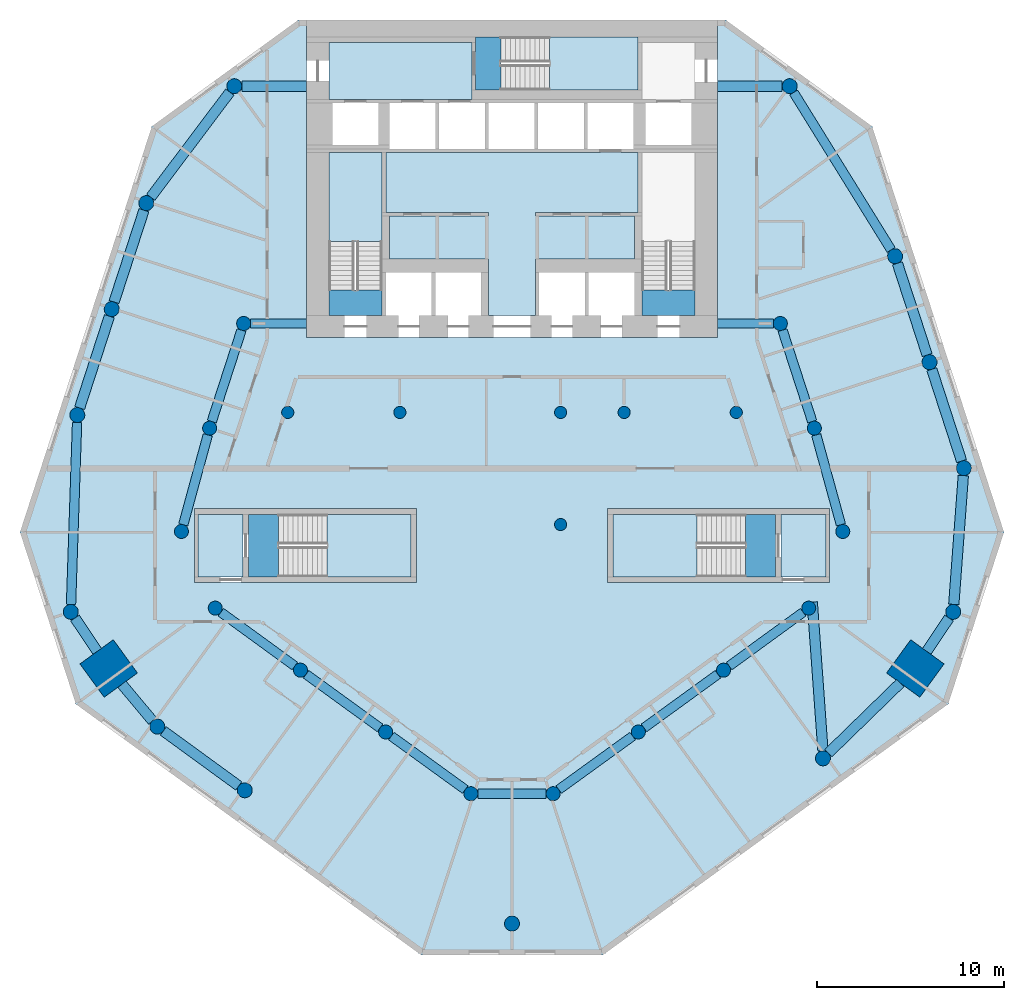
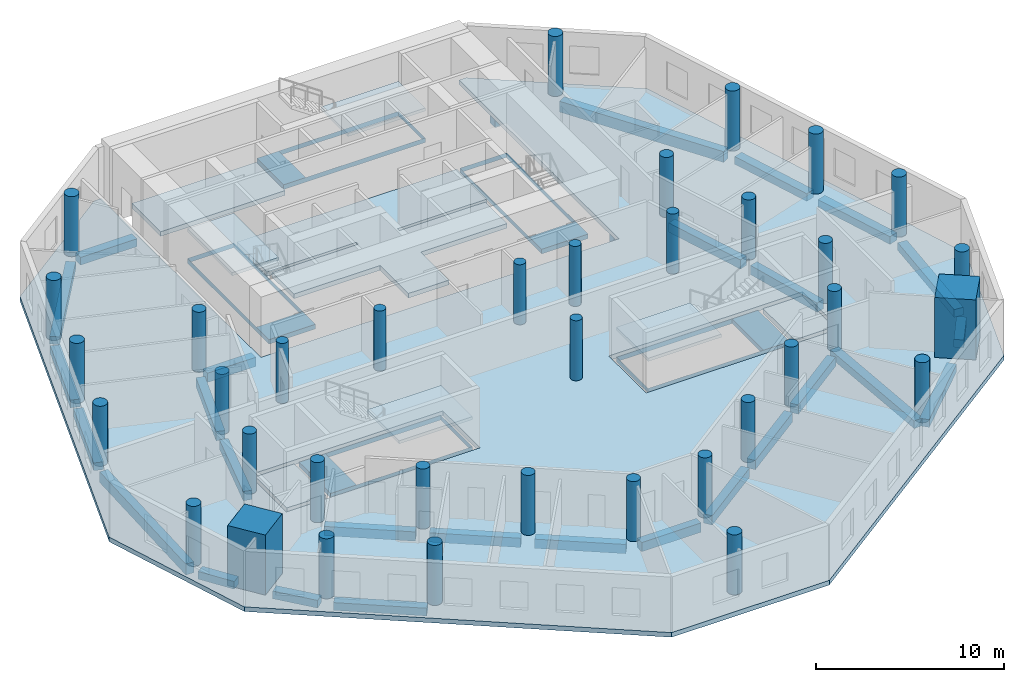
# One storey, part 1 of 9: 36 columns, 29 beams, 14 slabs, 4 elements without a shape of their own.
"""IFC4 building model written with IfcOpenShell, lengths in metres."""

import ifcopenshell
import ifcopenshell.guid

model = None  # the IFC model being written
_history = None  # IfcOwnerHistory: only IFC2X3 demands one
_inside = {}  # id of a spatial element -> (the spatial element, [elements in it])
_under = {}  # id of a project, library or spatial element -> (it, [spatial elements below it])
_declared = {}  # id of a project -> (the project, [libraries it declares])
_typed = {}  # id of a type object -> (the type object, [elements of that type])
_made_of = {}  # id of a material, layer set ... -> (it, [elements and type objects made of it])


def new_model(schema):
    """Start an empty IFC model of exactly this schema.

    Asked for "IFC4X3", IfcOpenShell would pick the latest addendum, in which some entities
    have other attributes; the version numbers below select the first issue.
    IFC2X3 requires an IfcOwnerHistory on every rooted entity: one is made here for all.
    """
    global model, _history
    if schema == "IFC4X3":
        model = ifcopenshell.file(schema_version=(4, 3, 0, 0))
    else:
        model = ifcopenshell.file(schema=schema)
    _inside.clear()
    _under.clear()
    _declared.clear()
    _typed.clear()
    _made_of.clear()
    _history = None
    if model.schema == "IFC2X3":
        org = make("IfcOrganization", Name="unknown")
        user = make(
            "IfcPersonAndOrganization",
            ThePerson=make("IfcPerson", FamilyName="unknown"),
            TheOrganization=org,
        )
        app = make(
            "IfcApplication",
            ApplicationDeveloper=org,
            Version="unknown",
            ApplicationFullName="unknown",
            ApplicationIdentifier="unknown",
        )
        _history = make(
            "IfcOwnerHistory",
            OwningUser=user,
            OwningApplication=app,
            ChangeAction="ADDED",
            CreationDate=0,
        )
    return model


def make(cls, **values):
    """One entity of the class cls with the attributes given. An attribute that is None is left unset."""
    return model.create_entity(
        cls, **{name: value for name, value in values.items() if value is not None}
    )


def rooted(cls, **values):
    """An entity with a GlobalId (a new one), such as an element, a storey or a relation."""
    return make(cls, GlobalId=ifcopenshell.guid.new(), OwnerHistory=_history, **values)


def si_unit(unit_type, name, prefix=None):
    """IfcSIUnit, for example si_unit("LENGTHUNIT", "METRE", prefix="MILLI")."""
    return make("IfcSIUnit", UnitType=unit_type, Prefix=prefix, Name=name)


def assignment(units):
    """IfcUnitAssignment: the units of a project."""
    return None if units is None else make("IfcUnitAssignment", Units=units)


def point(xyz):
    """IfcCartesianPoint."""
    return None if xyz is None else make("IfcCartesianPoint", Coordinates=xyz)


def direction(xyz):
    """IfcDirection."""
    return None if xyz is None else make("IfcDirection", DirectionRatios=xyz)


def frame(location, z_axis=None, x_axis=None):
    """IfcAxis2Placement3D, a coordinate frame: its origin and axes. An axis left out is left unset."""
    return make(
        "IfcAxis2Placement3D",
        Location=point(location),
        Axis=direction(z_axis),
        RefDirection=direction(x_axis),
    )


def frame_2d(location, x_axis=None):
    """IfcAxis2Placement2D, a coordinate frame in the plane: its origin and x axis."""
    return make(
        "IfcAxis2Placement2D", Location=point(location), RefDirection=direction(x_axis)
    )


def origin():
    """The frame at (0, 0, 0) with its axes left unset."""
    return frame((0.0, 0.0, 0.0))


def origin_2d():
    """The frame at (0, 0) in the plane with its x axis left unset."""
    return frame_2d((0.0, 0.0))


def place(relative_to, where):
    """IfcLocalPlacement: puts the frame where relative to a parent placement (None: the world)."""
    return make(
        "IfcLocalPlacement", PlacementRelTo=relative_to, RelativePlacement=where
    )


def context(
    kind, dimensions, precision=None, world=None, true_north=None, identifier=None
):
    """IfcGeometricRepresentationContext, for example the 3D "Model" context."""
    return make(
        "IfcGeometricRepresentationContext",
        ContextIdentifier=identifier,
        ContextType=kind,
        CoordinateSpaceDimension=dimensions,
        Precision=precision,
        WorldCoordinateSystem=world,
        TrueNorth=true_north,
    )


def subcontext(parent, identifier, kind, view, scale=None):
    """IfcGeometricRepresentationSubContext, for example "Body" below "Model"."""
    return make(
        "IfcGeometricRepresentationSubContext",
        ContextIdentifier=identifier,
        ContextType=kind,
        ParentContext=parent,
        TargetScale=scale,
        TargetView=view,
    )


def project(units=None, contexts=None):
    """IfcProject with its units and contexts."""
    return rooted(
        "IfcProject",
        Name="project",
        RepresentationContexts=contexts,
        UnitsInContext=assignment(units),
    )


def spatial(cls, under=None, at=None, **own):
    """A site, building, storey or space (cls), placed at a placement, below another one or the project."""
    s = rooted(cls, ObjectPlacement=at, **own)
    if under is not None:
        _under.setdefault(under.id(), (under, []))[1].append(s)
    return s


def polyline(points):
    """IfcPolyline through the points."""
    return make("IfcPolyline", Points=[point(p) for p in points])


def profile(cls, at=None, kind="AREA", **sizes):
    """A parametric profile (cls). Its sizes go by their IFC names, for example OverallWidth=200.0."""
    return make(cls, ProfileType=kind, Position=at, **sizes)


def rectangle(**sizes):
    """IfcRectangleProfileDef."""
    return profile("IfcRectangleProfileDef", **sizes)


def circle(**sizes):
    """IfcCircleProfileDef."""
    return profile("IfcCircleProfileDef", **sizes)


def outline(outer, holes=None, kind="AREA"):
    """IfcArbitraryClosedProfileDef: a profile drawn as a closed curve; with holes, ...WithVoids."""
    if holes is None:
        return make("IfcArbitraryClosedProfileDef", ProfileType=kind, OuterCurve=outer)
    return make(
        "IfcArbitraryProfileDefWithVoids",
        ProfileType=kind,
        OuterCurve=outer,
        InnerCurves=holes,
    )


def extrude(swept, where, along, depth):
    """IfcExtrudedAreaSolid: the profile swept, set in the frame where, extruded along a direction by depth."""
    return make(
        "IfcExtrudedAreaSolid",
        SweptArea=swept,
        Position=where,
        ExtrudedDirection=direction(along),
        Depth=depth,
    )


def shape(context_of_items, identifier, shape_type, items):
    """IfcShapeRepresentation: the items that make up one representation, for example the "Body"."""
    return make(
        "IfcShapeRepresentation",
        ContextOfItems=context_of_items,
        RepresentationIdentifier=identifier,
        RepresentationType=shape_type,
        Items=items,
    )


def material(Name=None, Category=None):
    """IfcMaterial."""
    return make("IfcMaterial", Name=Name, Category=Category)


def layer(
    of_material, thickness, ventilated=None, Name=None, Category=None, Priority=None
):
    """IfcMaterialLayer: one layer of a wall or slab, of a material (None: an air gap)."""
    return make(
        "IfcMaterialLayer",
        Material=of_material,
        LayerThickness=thickness,
        IsVentilated=ventilated,
        Name=Name,
        Category=Category,
        Priority=Priority,
    )


def layer_set(layers, Name=None):
    """IfcMaterialLayerSet."""
    return make("IfcMaterialLayerSet", MaterialLayers=layers, LayerSetName=Name)


def material_profile(
    of_material, cross_section, Name=None, Category=None, Priority=None
):
    """IfcMaterialProfile: a cross section and its material."""
    return make(
        "IfcMaterialProfile",
        Name=Name,
        Material=of_material,
        Profile=cross_section,
        Priority=Priority,
        Category=Category,
    )


def profile_set(profiles, Name=None, composite=None):
    """IfcMaterialProfileSet."""
    return make(
        "IfcMaterialProfileSet",
        Name=Name,
        MaterialProfiles=profiles,
        CompositeProfile=composite,
    )


def made_of(thing, what):
    """Note that an element or type object is made of a material, layer set ...; save() writes the relation."""
    if what is not None:
        _made_of.setdefault(what.id(), (what, []))[1].append(thing)
    return thing


def type_object(cls, material=None, **own):
    """A type object (cls), such as IfcWallType, which elements share."""
    return made_of(rooted(cls, **own), material)


def element(
    cls,
    number,
    at=None,
    inside=None,
    cuts=None,
    type_object=None,
    material=None,
    context=None,
    identifier="Body",
    shape_type=None,
    held_by="IfcProductDefinitionShape",
    body=None,
    shapes=None,
    **own,
):
    """One element of the class cls, such as IfcWall. Its Tag is "e" and its number.

    at: its placement. inside: the storey or other place that contains it. cuts: it is an
    opening in that element (IfcRelVoidsElement). A single representation is given by context,
    identifier, shape_type and body (its items); several are given by shapes. held_by: the class
    of the entity that holds the representations. save() writes the other relations.
    """
    e = rooted(cls, Tag="e%d" % number, ObjectPlacement=at, **own)
    if body is not None:
        shapes = [shape(context, identifier, shape_type, body)]
    if shapes is not None:
        e.Representation = make(held_by, Representations=shapes)
    if inside is not None:
        _inside.setdefault(inside.id(), (inside, []))[1].append(e)
    if cuts is not None:
        rooted(
            "IfcRelVoidsElement", RelatingBuildingElement=cuts, RelatedOpeningElement=e
        )
    if type_object is not None:
        _typed.setdefault(type_object.id(), (type_object, []))[1].append(e)
    return made_of(e, material)


def aggregate(whole, parts):
    """IfcRelAggregates: a whole, such as a stair, and the parts it consists of."""
    return rooted("IfcRelAggregates", RelatingObject=whole, RelatedObjects=parts)


def save(model, path):
    """Write the relations noted so far, then the file.

    IfcRelAggregates (storeys below a building ...), IfcRelContainedInSpatialStructure (elements
    in a storey), IfcRelDefinesByType, IfcRelAssociatesMaterial and IfcRelDeclares: one each for
    every whole, place, type object, material and project.
    """
    for whole, parts in _under.values():
        aggregate(whole, parts)
    for where, things in _inside.values():
        rooted(
            "IfcRelContainedInSpatialStructure",
            RelatedElements=things,
            RelatingStructure=where,
        )
    for kind, things in _typed.values():
        rooted("IfcRelDefinesByType", RelatedObjects=things, RelatingType=kind)
    for what, things in _made_of.values():
        rooted("IfcRelAssociatesMaterial", RelatedObjects=things, RelatingMaterial=what)
    for by, libraries in _declared.values():
        rooted("IfcRelDeclares", RelatingContext=by, RelatedDefinitions=libraries)
    model.write(path)


model = new_model("IFC4")

# Units and contexts
model_context = context("Model", 3, precision=1e-05, world=origin(), true_north=direction((0.0, 1.0)))
body_context = subcontext(model_context, "Body", "Model", "MODEL_VIEW")
ifc_project = project(units=[si_unit("LENGTHUNIT", "METRE"), si_unit("AREAUNIT", "SQUARE_METRE"), si_unit("VOLUMEUNIT", "CUBIC_METRE"), si_unit("PLANEANGLEUNIT", "RADIAN"), si_unit("MASSUNIT", "GRAM", prefix="KILO")], contexts=[model_context])

# Site, building, storey
site_placement = place(None, origin())
site = spatial("IfcSite", under=ifc_project, at=site_placement, CompositionType="ELEMENT")
building_placement = place(site_placement, origin())
building = spatial("IfcBuilding", under=site, at=building_placement, Name="White Candle Pilgrim Tower", CompositionType="ELEMENT")
storey_placement = place(building_placement, frame((0.0, 0.0, 46.800048828125)))
storey = spatial("IfcBuildingStorey", under=building, at=storey_placement, Name="L08", CompositionType="ELEMENT", Elevation=46.800048828125)

# Columns
ifc_material_1 = material(Name="Concrete C80/95", Category="concrete")
ifc_material_profile_1 = material_profile(ifc_material_1, circle(Radius=0.324951171875, at=origin_2d()), Name="RC-COL D650")
ifc_profile_set_1 = profile_set([ifc_material_profile_1], Name="Concrete C80/95")
column_type_1 = type_object("IfcColumnType", Name="Interior column RC-COL D650 C80/95", PredefinedType="COLUMN", material=ifc_profile_set_1)
for number, where, z_axis, x_axis, name in (
    (1, (58.0, 67.0, 0.0), (0.0, 0.0, 1.0), (1.0, 0.0, 0.0), "L08 column I01"),
    (2, (64.0, 67.0, 0.0), (0.0, 0.0, 1.0), (1.0, 0.0, 0.0), "L08 column I02"),
    (3, (72.60009765625, 61.0, 0.0), (0.0, 0.0, 1.0), (1.0, 0.0, 0.0), "L08 column I03"),
    (4, (72.60009765625, 67.0, 0.0), (0.0, 0.0, 1.0), (1.0, 0.0, 0.0), "L08 column I04"),
    (5, (76.0, 67.0, 0.0), (0.0, 0.0, 1.0), (1.0, 0.0, 0.0), "L08 column I05"),
    (6, (82.0, 67.0, 0.0), (0.0, 0.0, 1.0), (1.0, 0.0, 0.0), "L08 column I06"),
):
    element("IfcColumn", number, at=place(storey_placement, frame(where, z_axis=z_axis, x_axis=x_axis)), inside=storey, type_object=column_type_1, Name=name, PredefinedType="COLUMN", context=body_context, shape_type="SweptSolid", body=[
        extrude(circle(Radius=0.324951171875, at=origin_2d()), origin(), (0.0, 0.0, 1.0), 3.89990234375),
    ])
ifc_material_profile_2 = material_profile(ifc_material_1, rectangle(XDim=2.199951171875, YDim=2.199951171875, at=origin_2d()), Name="RC 2200x2200")
ifc_profile_set_2 = profile_set([ifc_material_profile_2], Name="Concrete C80/95")
column_type_2 = type_object("IfcColumnType", Name="Mega column RC 2200x2200 C80/95", PredefinedType="COLUMN", material=ifc_profile_set_2)
for number, where, z_axis, x_axis, name in (
    (7, (48.419921875, 53.300048828125, 0.0), (0.0, 0.0, 1.0), (-0.809016994375, -0.587785252292, 0.0), "L08 mega column T02"),
    (8, (91.580078125, 53.300048828125, 0.0), (0.0, 0.0, 1.0), (0.809016994375, -0.587785252292, 0.0), "L08 mega column T07"),
):
    element("IfcColumn", number, at=place(storey_placement, frame(where, z_axis=z_axis, x_axis=x_axis)), inside=storey, type_object=column_type_2, Name=name, PredefinedType="COLUMN", context=body_context, shape_type="SweptSolid", body=[
        extrude(rectangle(XDim=2.199951171875, YDim=2.199951171875, at=origin_2d()), origin(), (0.0, 0.0, 1.0), 3.89990234375),
    ])
ifc_material_profile_3 = material_profile(ifc_material_1, circle(Radius=0.39990234375, at=origin_2d()), Name="RC-COL D800")
ifc_profile_set_3 = profile_set([ifc_material_profile_3], Name="Concrete C80/95")
column_type_3 = type_object("IfcColumnType", Name="Perimeter column RC-COL D800 C80/95", PredefinedType="COLUMN", material=ifc_profile_set_3)
for number, where, z_axis, x_axis, name in (
    (9, (46.389892578125, 56.330078125, 0.0), (0.0, 0.0, 1.0), (1.0, 0.0, 0.0), "L08 column T01"),
    (10, (51.02001953125, 50.18994140625, 0.0), (0.0, 0.0, 1.0), (1.0, 0.0, 0.0), "L08 column T03"),
    (11, (55.699951171875, 46.780029296875, 0.0), (0.0, 0.0, 1.0), (1.0, 0.0, 0.0), "L08 column T04"),
    (12, (70.0, 39.64990234375, 0.0), (0.0, 0.0, 1.0), (1.0, 0.0, 0.0), "L08 column T05"),
    (13, (86.639892578125, 48.489990234375, 0.0), (0.0, 0.0, 1.0), (1.0, 0.0, 0.0), "L08 column T06"),
    (14, (93.610107421875, 56.330078125, 0.0), (0.0, 0.0, 1.0), (1.0, 0.0, 0.0), "L08 column T08"),
    (15, (94.179931640625, 64.02001953125, 0.0), (0.0, 0.0, 1.0), (1.0, 0.0, 0.0), "L08 column T09"),
    (16, (92.340087890625, 69.68994140625, 0.0), (0.0, 0.0, 1.0), (1.0, 0.0, 0.0), "L08 column T10"),
    (17, (90.5, 75.360107421875, 0.0), (0.0, 0.0, 1.0), (1.0, 0.0, 0.0), "L08 column T11"),
    (18, (84.860107421875, 84.4599609375, 0.0), (0.0, 0.0, 1.0), (1.0, 0.0, 0.0), "L08 column T12"),
    (19, (55.139892578125, 84.4599609375, 0.0), (0.0, 0.0, 1.0), (1.0, 0.0, 0.0), "L08 column T13"),
    (20, (50.429931640625, 78.199951171875, 0.0), (0.0, 0.0, 1.0), (1.0, 0.0, 0.0), "L08 column T14"),
    (21, (48.580078125, 72.530029296875, 0.0), (0.0, 0.0, 1.0), (1.0, 0.0, 0.0), "L08 column T15"),
    (22, (46.739990234375, 66.860107421875, 0.0), (0.0, 0.0, 1.0), (1.0, 0.0, 0.0), "L08 column T16"),
):
    element("IfcColumn", number, at=place(storey_placement, frame(where, z_axis=z_axis, x_axis=x_axis)), inside=storey, type_object=column_type_3, Name=name, PredefinedType="COLUMN", context=body_context, shape_type="SweptSolid", body=[
        extrude(circle(Radius=0.39990234375, at=origin_2d()), origin(), (0.0, 0.0, 1.0), 3.89990234375),
    ])
ifc_material_profile_4 = material_profile(ifc_material_1, circle(Radius=0.375, at=origin_2d()), Name="RC-COL D750")
ifc_profile_set_4 = profile_set([ifc_material_profile_4], Name="Concrete C80/95")
column_type_4 = type_object("IfcColumnType", Name="Ring column RC-COL D750 C80/95", PredefinedType="COLUMN", material=ifc_profile_set_4)
for number, where, z_axis, x_axis, name in (
    (23, (52.31005859375, 60.6298828125, 0.0), (0.0, 0.0, 1.0), (1.0, 0.0, 0.0), "L08 column R01"),
    (24, (54.1201171875, 56.530029296875, 0.0), (0.0, 0.0, 1.0), (1.0, 0.0, 0.0), "L08 column R02"),
    (25, (58.679931640625, 53.2099609375, 0.0), (0.0, 0.0, 1.0), (1.0, 0.0, 0.0), "L08 column R03"),
    (26, (63.239990234375, 49.89990234375, 0.0), (0.0, 0.0, 1.0), (1.0, 0.0, 0.0), "L08 column R04"),
    (27, (67.800048828125, 46.60009765625, 0.0), (0.0, 0.0, 1.0), (1.0, 0.0, 0.0), "L08 column R05"),
    (28, (72.199951171875, 46.60009765625, 0.0), (0.0, 0.0, 1.0), (1.0, 0.0, 0.0), "L08 column R06"),
    (29, (76.760009765625, 49.89990234375, 0.0), (0.0, 0.0, 1.0), (1.0, 0.0, 0.0), "L08 column R07"),
    (30, (81.320068359375, 53.2099609375, 0.0), (0.0, 0.0, 1.0), (1.0, 0.0, 0.0), "L08 column R08"),
    (31, (85.8798828125, 56.530029296875, 0.0), (0.0, 0.0, 1.0), (1.0, 0.0, 0.0), "L08 column R09"),
    (32, (87.699951171875, 60.6298828125, 0.0), (0.0, 0.0, 1.0), (1.0, 0.0, 0.0), "L08 column R10"),
    (33, (86.179931640625, 66.159912109375, 0.0), (0.0, 0.0, 1.0), (1.0, 0.0, 0.0), "L08 column R11"),
    (34, (84.360107421875, 71.760009765625, 0.0), (0.0, 0.0, 1.0), (1.0, 0.0, 0.0), "L08 column R12"),
    (35, (55.639892578125, 71.760009765625, 0.0), (0.0, 0.0, 1.0), (1.0, 0.0, 0.0), "L08 column R13"),
    (36, (53.820068359375, 66.159912109375, 0.0), (0.0, 0.0, 1.0), (1.0, 0.0, 0.0), "L08 column R14"),
):
    element("IfcColumn", number, at=place(storey_placement, frame(where, z_axis=z_axis, x_axis=x_axis)), inside=storey, type_object=column_type_4, Name=name, PredefinedType="COLUMN", context=body_context, shape_type="SweptSolid", body=[
        extrude(circle(Radius=0.375, at=origin_2d()), origin(), (0.0, 0.0, 1.0), 3.89990234375),
    ])

# Beams
ifc_material_2 = material(Name="Concrete C50/60", Category="concrete")
ifc_material_profile_5 = material_profile(ifc_material_2, rectangle(XDim=0.5, YDim=0.60009765625, at=origin_2d()), Name="RC-BM 500x600")
ifc_profile_set_5 = profile_set([ifc_material_profile_5], Name="Concrete C50/60")
beam_type_1 = type_object("IfcBeamType", Name="Ring beam RC-BM 500x600 C50/60", PredefinedType="BEAM", material=ifc_profile_set_5)
beam_1_placement = place(storey_placement, frame((54.423095703125, 56.309326171875, -0.60009765625), z_axis=(0.808431607518, -0.58859012561, 0.0), x_axis=(0.58859012561, 0.808431607518, 0.0)))
element("IfcBeam", 37, at=beam_1_placement, inside=storey, type_object=beam_type_1, Name="L08 ring beam R01", PredefinedType="BEAM", context=body_context, shape_type="SweptSolid", body=[
    extrude(rectangle(XDim=0.5, YDim=0.60009765625, at=origin_2d()), origin(), (0.0, 0.0, 1.0), 4.890869140625),
])
beam_2_placement = place(storey_placement, frame((58.9833984375, 52.98974609375, -0.60009765625), z_axis=(0.809276033964, -0.587428549572, 0.0), x_axis=(0.587428549572, 0.809276033964, 0.0)))
element("IfcBeam", 38, at=beam_2_placement, inside=storey, type_object=beam_type_1, Name="L08 ring beam R02", PredefinedType="BEAM", context=body_context, shape_type="SweptSolid", body=[
    extrude(rectangle(XDim=0.5, YDim=0.60009765625, at=origin_2d()), origin(), (0.0, 0.0, 1.0), 4.885009765625),
])
beam_3_placement = place(storey_placement, frame((63.543701171875, 49.680419921875, -0.60009765625), z_axis=(0.810079795278, -0.586319644291, 0.0), x_axis=(0.586319644291, 0.810079795278, 0.0)))
element("IfcBeam", 39, at=beam_3_placement, inside=storey, type_object=beam_type_1, Name="L08 ring beam R03", PredefinedType="BEAM", context=body_context, shape_type="SweptSolid", body=[
    extrude(rectangle(XDim=0.5, YDim=0.60009765625, at=origin_2d()), origin(), (0.0, 0.0, 1.0), 4.87939453125),
])
beam_4_placement = place(storey_placement, frame((68.175048828125, 46.60009765625, -0.60009765625), z_axis=(1.0, 0.0, 0.0), x_axis=(0.0, 1.0, 0.0)))
element("IfcBeam", 40, at=beam_4_placement, inside=storey, type_object=beam_type_1, Name="L08 ring beam R04", PredefinedType="BEAM", context=body_context, shape_type="SweptSolid", body=[
    extrude(rectangle(XDim=0.5, YDim=0.60009765625, at=origin_2d()), origin(), (0.0, 0.0, 1.0), 3.64990234375),
])
beam_5_placement = place(storey_placement, frame((72.503662109375, 46.819580078125, -0.60009765625), z_axis=(0.810079795278, 0.586319644291, 0.0), x_axis=(-0.586319644291, 0.810079795278, 0.0)))
element("IfcBeam", 41, at=beam_5_placement, inside=storey, type_object=beam_type_1, Name="L08 ring beam R05", PredefinedType="BEAM", context=body_context, shape_type="SweptSolid", body=[
    extrude(rectangle(XDim=0.5, YDim=0.60009765625, at=origin_2d()), origin(), (0.0, 0.0, 1.0), 4.87939453125),
])
beam_6_placement = place(storey_placement, frame((77.063232421875, 50.1201171875, -0.60009765625), z_axis=(0.809276033964, 0.587428549572, 0.0), x_axis=(-0.587428549572, 0.809276033964, 0.0)))
element("IfcBeam", 42, at=beam_6_placement, inside=storey, type_object=beam_type_1, Name="L08 ring beam R06", PredefinedType="BEAM", context=body_context, shape_type="SweptSolid", body=[
    extrude(rectangle(XDim=0.5, YDim=0.60009765625, at=origin_2d()), origin(), (0.0, 0.0, 1.0), 4.885009765625),
])
beam_7_placement = place(storey_placement, frame((81.623046875, 53.4306640625, -0.60009765625), z_axis=(0.808431607518, 0.58859012561, 0.0), x_axis=(-0.58859012561, 0.808431607518, 0.0)))
element("IfcBeam", 43, at=beam_7_placement, inside=storey, type_object=beam_type_1, Name="L08 ring beam R07", PredefinedType="BEAM", context=body_context, shape_type="SweptSolid", body=[
    extrude(rectangle(XDim=0.5, YDim=0.60009765625, at=origin_2d()), origin(), (0.0, 0.0, 1.0), 4.890869140625),
])
beam_8_placement = place(storey_placement, frame((87.6005859375, 60.991455078125, -0.60009765625), z_axis=(-0.265031278819, 0.964239815216, 0.0), x_axis=(-0.964239815216, -0.265031278819, 0.0)))
element("IfcBeam", 44, at=beam_8_placement, inside=storey, type_object=beam_type_1, Name="L08 ring beam R08", PredefinedType="BEAM", context=body_context, shape_type="SweptSolid", body=[
    extrude(rectangle(XDim=0.5, YDim=0.60009765625, at=origin_2d()), origin(), (0.0, 0.0, 1.0), 4.9853515625),
])
beam_9_placement = place(storey_placement, frame((86.064208984375, 66.5166015625, -0.60009765625), z_axis=(-0.309106483996, 0.9510274347, 0.0), x_axis=(-0.9510274347, -0.309106483996, 0.0)))
element("IfcBeam", 45, at=beam_9_placement, inside=storey, type_object=beam_type_1, Name="L08 ring beam R09", PredefinedType="BEAM", context=body_context, shape_type="SweptSolid", body=[
    extrude(rectangle(XDim=0.5, YDim=0.60009765625, at=origin_2d()), origin(), (0.0, 0.0, 1.0), 5.138671875),
])
for number, where, z_axis, x_axis, name in (
    (46, (83.985107421875, 71.760009765625, -0.60009765625), (-1.0, 0.0, 0.0), (0.0, -1.0, 0.0), "L08 ring beam R10"),
    (47, (56.014892578125, 71.760009765625, -0.60009765625), (1.0, 0.0, 0.0), (0.0, 1.0, 0.0), "L08 ring beam R11"),
):
    element("IfcBeam", number, at=place(storey_placement, frame(where, z_axis=z_axis, x_axis=x_axis)), inside=storey, type_object=beam_type_1, Name=name, PredefinedType="BEAM", context=body_context, shape_type="SweptSolid", body=[
        extrude(rectangle(XDim=0.5, YDim=0.60009765625, at=origin_2d()), origin(), (0.0, 0.0, 1.0), 2.985107421875),
    ])
beam_10_placement = place(storey_placement, frame((55.524169921875, 71.403564453125, -0.60009765625), z_axis=(-0.309106483996, -0.9510274347, 0.0), x_axis=(0.9510274347, -0.309106483996, 0.0)))
element("IfcBeam", 48, at=beam_10_placement, inside=storey, type_object=beam_type_1, Name="L08 ring beam R12", PredefinedType="BEAM", context=body_context, shape_type="SweptSolid", body=[
    extrude(rectangle(XDim=0.5, YDim=0.60009765625, at=origin_2d()), origin(), (0.0, 0.0, 1.0), 5.138671875),
])
beam_11_placement = place(storey_placement, frame((53.72119140625, 65.79833984375, -0.60009765625), z_axis=(-0.263415907103, -0.964682362172, 0.0), x_axis=(0.964682362172, -0.263415907103, 0.0)))
element("IfcBeam", 49, at=beam_11_placement, inside=storey, type_object=beam_type_1, Name="L08 ring beam R13", PredefinedType="BEAM", context=body_context, shape_type="SweptSolid", body=[
    extrude(rectangle(XDim=0.5, YDim=0.60009765625, at=origin_2d()), origin(), (0.0, 0.0, 1.0), 4.982666015625),
])
ifc_material_profile_6 = material_profile(ifc_material_2, rectangle(XDim=0.5, YDim=0.699951171875, at=origin_2d()), Name="RC-BM 500x700")
ifc_profile_set_6 = profile_set([ifc_material_profile_6], Name="Concrete C50/60")
beam_type_2 = type_object("IfcBeamType", Name="Spandrel beam RC-BM 500x700 C50/60", PredefinedType="BEAM", material=ifc_profile_set_6)
beam_12_placement = place(storey_placement, frame((90.289306640625, 75.69970703125, -0.650146484375), z_axis=(-0.526800809553, 0.849988768781, 0.0), x_axis=(-0.849988768781, -0.526800809553, 0.0)))
element("IfcBeam", 50, at=beam_12_placement, inside=storey, type_object=beam_type_2, Name="L08 spandrel beam T10", PredefinedType="BEAM", context=body_context, shape_type="SweptSolid", body=[
    extrude(rectangle(XDim=0.5, YDim=0.699951171875, at=origin_2d()), origin(), (0.0, 0.0, 1.0), 9.906494140625),
])
beam_13_placement = place(storey_placement, frame((46.726806640625, 66.46044921875, -0.650146484375), z_axis=(-0.033224659514, -0.999447908598, 0.0), x_axis=(0.999447908598, -0.033224659514, 0.0)))
element("IfcBeam", 51, at=beam_13_placement, inside=storey, type_object=beam_type_2, Name="L08 spandrel beam T16", PredefinedType="BEAM", context=body_context, shape_type="SweptSolid", body=[
    extrude(rectangle(XDim=0.5, YDim=0.699951171875, at=origin_2d()), origin(), (0.0, 0.0, 1.0), 9.736328125),
])
ifc_material_profile_7 = material_profile(ifc_material_2, rectangle(XDim=0.550048828125, YDim=0.5, at=origin_2d()), Name="RC-BM 550x500")
ifc_profile_set_7 = profile_set([ifc_material_profile_7], Name="Concrete C50/60")
beam_type_3 = type_object("IfcBeamType", Name="Spandrel beam RC-BM 550x500 C50/60", PredefinedType="BEAM", material=ifc_profile_set_7)
beam_14_placement = place(storey_placement, frame((46.612548828125, 55.997802734375, -0.550048828125), z_axis=(0.556641005169, -0.830753147069, 0.0), x_axis=(0.830753147069, 0.556641005169, 0.0)))
element("IfcBeam", 52, at=beam_14_placement, inside=storey, type_object=beam_type_3, Name="L08 spandrel beam T01", PredefinedType="BEAM", context=body_context, shape_type="SweptSolid", body=[
    extrude(rectangle(XDim=0.550048828125, YDim=0.5, at=origin_2d()), origin(), (0.0, 0.0, 1.0), 2.146484375),
])
beam_15_placement = place(storey_placement, frame((49.127197265625, 52.4541015625, -0.550048828125), z_axis=(0.641388324436, -0.767216408373, 0.0), x_axis=(0.767216408373, 0.641388324436, 0.0)))
element("IfcBeam", 53, at=beam_15_placement, inside=storey, type_object=beam_type_3, Name="L08 spandrel beam T02", PredefinedType="BEAM", context=body_context, shape_type="SweptSolid", body=[
    extrude(rectangle(XDim=0.550048828125, YDim=0.5, at=origin_2d()), origin(), (0.0, 0.0, 1.0), 2.551513671875),
])
beam_16_placement = place(storey_placement, frame((51.343017578125, 49.95458984375, -0.550048828125), z_axis=(0.808217539001, -0.588884037525, 0.0), x_axis=(0.588884037525, 0.808217539001, 0.0)))
element("IfcBeam", 54, at=beam_16_placement, inside=storey, type_object=beam_type_3, Name="L08 spandrel beam T03", PredefinedType="BEAM", context=body_context, shape_type="SweptSolid", body=[
    extrude(rectangle(XDim=0.550048828125, YDim=0.5, at=origin_2d()), origin(), (0.0, 0.0, 1.0), 4.9912109375),
])
beam_17_placement = place(storey_placement, frame((86.639892578125, 48.889892578125, -0.550048828125), z_axis=(-0.071694624988, 0.997426629255, 0.0), x_axis=(-0.997426629255, -0.071694624988, 0.0)))
element("IfcBeam", 55, at=beam_17_placement, inside=storey, type_object=beam_type_3, Name="L08 spandrel beam T04", PredefinedType="BEAM", context=body_context, shape_type="SweptSolid", body=[
    extrude(rectangle(XDim=0.550048828125, YDim=0.5, at=origin_2d()), origin(), (0.0, 0.0, 1.0), 7.9853515625),
])
beam_18_placement = place(storey_placement, frame((86.926513671875, 48.768798828125, -0.550048828125), z_axis=(0.716462232914, 0.697625880259, 0.0), x_axis=(-0.697625880259, 0.716462232914, 0.0)))
element("IfcBeam", 56, at=beam_18_placement, inside=storey, type_object=beam_type_3, Name="L08 spandrel beam T05", PredefinedType="BEAM", context=body_context, shape_type="SweptSolid", body=[
    extrude(rectangle(XDim=0.550048828125, YDim=0.5, at=origin_2d()), origin(), (0.0, 0.0, 1.0), 5.37890625),
])
beam_19_placement = place(storey_placement, frame((92.192626953125, 54.214599609375, -0.550048828125), z_axis=(0.556641005169, 0.830753147069, 0.0), x_axis=(-0.830753147069, 0.556641005169, 0.0)))
element("IfcBeam", 57, at=beam_19_placement, inside=storey, type_object=beam_type_3, Name="L08 spandrel beam T06", PredefinedType="BEAM", context=body_context, shape_type="SweptSolid", body=[
    extrude(rectangle(XDim=0.550048828125, YDim=0.5, at=origin_2d()), origin(), (0.0, 0.0, 1.0), 2.146484375),
])
beam_20_placement = place(storey_placement, frame((93.6396484375, 56.728759765625, -0.550048828125), z_axis=(0.073900311906, 0.99726563357, 0.0), x_axis=(-0.99726563357, 0.073900311906, 0.0)))
element("IfcBeam", 58, at=beam_20_placement, inside=storey, type_object=beam_type_3, Name="L08 spandrel beam T07", PredefinedType="BEAM", context=body_context, shape_type="SweptSolid", body=[
    extrude(rectangle(XDim=0.550048828125, YDim=0.5, at=origin_2d()), origin(), (0.0, 0.0, 1.0), 6.9111328125),
])
for number, where, z_axis, x_axis, name in (
    (59, (94.056640625, 64.400390625, -0.550048828125), (-0.308682827488, 0.951165028801, 0.0), (-0.951165028801, -0.308682827488, 0.0), "L08 spandrel beam T08"),
    (60, (92.216552734375, 70.0703125, -0.550048828125), (-0.308682827488, 0.951165028801, 0.0), (-0.951165028801, -0.308682827488, 0.0), "L08 spandrel beam T09"),
):
    element("IfcBeam", number, at=place(storey_placement, frame(where, z_axis=z_axis, x_axis=x_axis)), inside=storey, type_object=beam_type_3, Name=name, PredefinedType="BEAM", context=body_context, shape_type="SweptSolid", body=[
        extrude(rectangle(XDim=0.550048828125, YDim=0.5, at=origin_2d()), origin(), (0.0, 0.0, 1.0), 5.161376953125),
    ])
for number, where, z_axis, x_axis, name in (
    (61, (84.4599609375, 84.4599609375, -0.550048828125), (-1.0, 0.0, 0.0), (0.0, -1.0, 0.0), "L08 spandrel beam T11"),
    (62, (55.5400390625, 84.4599609375, -0.550048828125), (1.0, 0.0, 0.0), (0.0, 1.0, 0.0), "L08 spandrel beam T12"),
):
    element("IfcBeam", number, at=place(storey_placement, frame(where, z_axis=z_axis, x_axis=x_axis)), inside=storey, type_object=beam_type_3, Name=name, PredefinedType="BEAM", context=body_context, shape_type="SweptSolid", body=[
        extrude(rectangle(XDim=0.550048828125, YDim=0.5, at=origin_2d()), origin(), (0.0, 0.0, 1.0), 3.4599609375),
    ])
beam_21_placement = place(storey_placement, frame((54.899658203125, 84.140380859375, -0.550048828125), z_axis=(-0.601237643972, -0.79907026942, 0.0), x_axis=(0.79907026942, -0.601237643972, 0.0)))
element("IfcBeam", 63, at=beam_21_placement, inside=storey, type_object=beam_type_3, Name="L08 spandrel beam T13", PredefinedType="BEAM", context=body_context, shape_type="SweptSolid", body=[
    extrude(rectangle(XDim=0.550048828125, YDim=0.5, at=origin_2d()), origin(), (0.0, 0.0, 1.0), 7.0341796875),
])
beam_22_placement = place(storey_placement, frame((50.305908203125, 77.81982421875, -0.550048828125), z_axis=(-0.310165508273, -0.950682574511, 0.0), x_axis=(0.950682574511, -0.310165508273, 0.0)))
element("IfcBeam", 64, at=beam_22_placement, inside=storey, type_object=beam_type_3, Name="L08 spandrel beam T14", PredefinedType="BEAM", context=body_context, shape_type="SweptSolid", body=[
    extrude(rectangle(XDim=0.550048828125, YDim=0.5, at=origin_2d()), origin(), (0.0, 0.0, 1.0), 5.164306640625),
])
beam_23_placement = place(storey_placement, frame((48.45654296875, 72.149658203125, -0.550048828125), z_axis=(-0.308682827488, -0.951165028801, 0.0), x_axis=(0.951165028801, -0.308682827488, 0.0)))
element("IfcBeam", 65, at=beam_23_placement, inside=storey, type_object=beam_type_3, Name="L08 spandrel beam T15", PredefinedType="BEAM", context=body_context, shape_type="SweptSolid", body=[
    extrude(rectangle(XDim=0.550048828125, YDim=0.5, at=origin_2d()), origin(), (0.0, 0.0, 1.0), 5.161376953125),
])

# Slabs
ifc_material_3 = material(Name="Concrete C40/50", Category="concrete")
ifc_layer_1 = layer(ifc_material_3, 0.300048828125)
ifc_layer_set_1 = layer_set([ifc_layer_1], Name="Core floor slab 300 mm Concrete C40/50")
slab_type_1 = type_object("IfcSlabType", Name="Core floor slab 300 mm Concrete C40/50", PredefinedType="FLOOR", material=ifc_layer_set_1)
slab_1_placement = place(storey_placement, frame((0.0, 0.0, -0.300048828125)))
element("IfcSlab", 66, at=slab_1_placement, inside=storey, type_object=slab_type_1, Name="CF-L08-01", PredefinedType="FLOOR", context=body_context, shape_type="SweptSolid", body=[
    extrude(outline(polyline([(55.60009765625, 58.199951171875), (53.199951171875, 58.199951171875), (53.199951171875, 61.550048828125), (55.60009765625, 61.550048828125), (55.60009765625, 58.199951171875)])), origin(), (0.0, 0.0, 1.0), 0.300048828125),
])
slab_2_placement = place(storey_placement, frame((0.0, 0.0, -0.300048828125)))
element("IfcSlab", 67, at=slab_2_placement, inside=storey, type_object=slab_type_1, Name="CF-L08-02", PredefinedType="FLOOR", context=body_context, shape_type="SweptSolid", body=[
    extrude(outline(polyline([(55.89990234375, 58.199951171875), (55.89990234375, 61.550048828125), (64.60009765625, 61.550048828125), (64.60009765625, 58.199951171875), (55.89990234375, 58.199951171875)]), holes=[polyline([(57.501953125, 61.548095703125), (57.501953125, 58.201904296875), (64.597900390625, 58.201904296875), (64.597900390625, 61.548095703125), (57.501953125, 61.548095703125)])]), origin(), (0.0, 0.0, 1.0), 0.300048828125),
])
slab_3_placement = place(storey_placement, frame((0.0, 0.0, -0.300048828125)))
element("IfcSlab", 68, at=slab_3_placement, inside=storey, type_object=slab_type_1, Name="CF-L08-03", PredefinedType="FLOOR", context=body_context, shape_type="SweptSolid", body=[
    extrude(outline(polyline([(75.39990234375, 58.199951171875), (75.39990234375, 61.550048828125), (84.10009765625, 61.550048828125), (84.10009765625, 58.199951171875), (75.39990234375, 58.199951171875)]), holes=[polyline([(82.498046875, 58.201904296875), (82.498046875, 61.548095703125), (75.402099609375, 61.548095703125), (75.402099609375, 58.201904296875), (82.498046875, 58.201904296875)])]), origin(), (0.0, 0.0, 1.0), 0.300048828125),
])
slab_4_placement = place(storey_placement, frame((0.0, 0.0, -0.300048828125)))
element("IfcSlab", 69, at=slab_4_placement, inside=storey, type_object=slab_type_1, Name="CF-L08-04", PredefinedType="FLOOR", context=body_context, shape_type="SweptSolid", body=[
    extrude(outline(polyline([(86.800048828125, 58.199951171875), (84.39990234375, 58.199951171875), (84.39990234375, 61.550048828125), (86.800048828125, 61.550048828125), (86.800048828125, 58.199951171875)])), origin(), (0.0, 0.0, 1.0), 0.300048828125),
])
slab_5_placement = place(storey_placement, frame((0.0, 0.0, -0.300048828125)))
element("IfcSlab", 70, at=slab_5_placement, inside=storey, type_object=slab_type_1, Name="CF-L08-05", PredefinedType="FLOOR", context=body_context, shape_type="SweptSolid", body=[
    extrude(outline(polyline([(76.75, 87.10009765625), (76.75, 86.800048828125), (76.75, 84.25), (68.050048828125, 84.25), (68.050048828125, 86.800048828125), (68.050048828125, 87.10009765625), (76.75, 87.10009765625)]), holes=[polyline([(69.402099609375, 87.097900390625), (69.402099609375, 84.251953125), (76.748046875, 84.251953125), (76.748046875, 87.097900390625), (69.402099609375, 87.097900390625)])]), origin(), (0.0, 0.0, 1.0), 0.300048828125),
])
slab_6_placement = place(storey_placement, frame((0.0, 0.0, -0.300048828125)))
element("IfcSlab", 71, at=slab_6_placement, inside=storey, type_object=slab_type_1, Name="CF-L08-07", PredefinedType="FLOOR", context=body_context, shape_type="SweptSolid", body=[
    extrude(outline(polyline([(79.800048828125, 72.199951171875), (76.949951171875, 72.199951171875), (76.949951171875, 74.5), (76.949951171875, 75.199951171875), (76.949951171875, 77.5), (76.949951171875, 77.699951171875), (76.949951171875, 80.89990234375), (79.800048828125, 80.89990234375), (79.800048828125, 72.199951171875)]), holes=[polyline([(76.951904296875, 73.552001953125), (79.798095703125, 73.552001953125), (79.798095703125, 80.89794921875), (76.951904296875, 80.89794921875), (76.951904296875, 73.552001953125)])]), origin(), (0.0, 0.0, 1.0), 0.300048828125),
])
slab_7_placement = place(storey_placement, frame((0.0, 0.0, -0.300048828125)))
element("IfcSlab", 72, at=slab_7_placement, inside=storey, type_object=slab_type_1, Name="CF-L08-08", PredefinedType="FLOOR", context=body_context, shape_type="SweptSolid", body=[
    extrude(outline(polyline([(68.75, 72.199951171875), (68.75, 74.5), (68.75, 75.199951171875), (63.449951171875, 75.199951171875), (63.449951171875, 77.5), (68.75, 77.5), (68.75, 77.699951171875), (63.25, 77.699951171875), (63.25, 80.89990234375), (76.75, 80.89990234375), (76.75, 77.699951171875), (71.25, 77.699951171875), (71.25, 77.5), (76.550048828125, 77.5), (76.550048828125, 75.199951171875), (71.25, 75.199951171875), (71.25, 74.5), (71.25, 72.199951171875), (68.75, 72.199951171875)])), origin(), (0.0, 0.0, 1.0), 0.300048828125),
])
slab_8_placement = place(storey_placement, frame((0.0, 0.0, -0.300048828125)))
element("IfcSlab", 73, at=slab_8_placement, inside=storey, type_object=slab_type_1, Name="CF-L08-09", PredefinedType="FLOOR", context=body_context, shape_type="SweptSolid", body=[
    extrude(outline(polyline([(60.199951171875, 72.199951171875), (60.199951171875, 80.89990234375), (63.050048828125, 80.89990234375), (63.050048828125, 77.699951171875), (63.050048828125, 77.5), (63.050048828125, 75.199951171875), (63.050048828125, 74.5), (63.050048828125, 72.199951171875), (60.199951171875, 72.199951171875)]), holes=[polyline([(60.201904296875, 73.552001953125), (63.048095703125, 73.552001953125), (63.048095703125, 80.89794921875), (60.201904296875, 80.89794921875), (60.201904296875, 73.552001953125)])]), origin(), (0.0, 0.0, 1.0), 0.300048828125),
])
slab_9_placement = place(storey_placement, frame((0.0, 0.0, -0.300048828125)))
element("IfcSlab", 74, at=slab_9_placement, inside=storey, type_object=slab_type_1, Name="CF-L08-10", PredefinedType="FLOOR", context=body_context, shape_type="SweptSolid", body=[
    extrude(outline(polyline([(60.199951171875, 86.800048828125), (67.85009765625, 86.800048828125), (67.85009765625, 84.25), (67.85009765625, 83.75), (60.199951171875, 83.75), (60.199951171875, 86.800048828125)])), origin(), (0.0, 0.0, 1.0), 0.300048828125),
])
ifc_layer_2 = layer(ifc_material_3, 0.300048828125)
ifc_layer_set_2 = layer_set([ifc_layer_2], Name="Floor slab 300 REI 120")
slab_type_2 = type_object("IfcSlabType", Name="Floor slab 300 REI 120", PredefinedType="FLOOR", material=ifc_layer_set_2)
slab_10_placement = place(storey_placement, frame((0.0, 0.0, -0.300048828125)))
element("IfcSlab", 75, at=slab_10_placement, inside=storey, type_object=slab_type_2, Name="L08 floor slab", PredefinedType="FLOOR", context=body_context, shape_type="SweptSolid", body=[
    extrude(outline(polyline([(65.156494140625, 37.95458984375), (74.843505859375, 37.95458984375), (93.338134765625, 51.391845703125), (96.327392578125, 60.59130859375), (89.27099609375, 82.308349609375), (81.43701171875, 88.0), (81.0, 88.0), (81.0, 71.0), (59.0, 71.0), (59.0, 88.0), (58.56298828125, 88.0), (50.72900390625, 82.308349609375), (43.672607421875, 60.59130859375), (46.661865234375, 51.391845703125), (65.156494140625, 37.95458984375)]), holes=[polyline([(53.0, 57.89990234375), (53.0, 61.85009765625), (64.89990234375, 61.85009765625), (64.89990234375, 57.89990234375), (53.0, 57.89990234375)]), polyline([(75.10009765625, 57.89990234375), (75.10009765625, 61.85009765625), (87.0, 61.85009765625), (87.0, 57.89990234375), (75.10009765625, 57.89990234375)])]), origin(), (0.0, 0.0, 1.0), 0.300048828125),
])

# Stair, slab
stair_type_1 = type_object("IfcStairType", Name="Exit stair 1 flight width 1350 mm", PredefinedType="HALF_TURN_STAIR", material=ifc_material_3)
stair_1_placement = place(storey_placement, origin())
stair_1 = element("IfcStair", 76, at=stair_1_placement, inside=storey, type_object=stair_type_1, Name="L08 stair 1", PredefinedType="NOTDEFINED")
ifc_layer_3 = layer(ifc_material_3, 0.199951171875)
ifc_layer_set_3 = layer_set([ifc_layer_3], Name="Stair landing Concrete C40/50")
slab_type_3 = type_object("IfcSlabType", Name="Stair landing Concrete C40/50", PredefinedType="LANDING", material=ifc_layer_set_3)
slab_11_placement = place(storey_placement, frame((0.0, 0.0, 1.75)))
slab_11 = element("IfcSlab", 77, at=slab_11_placement, type_object=slab_type_3, Name="ST1 landing 1", PredefinedType="LANDING", context=body_context, shape_type="SweptSolid", body=[
    extrude(outline(polyline([(63.052001953125, 76.14794921875), (60.197998046875, 76.14794921875), (60.197998046875, 80.902099609375), (63.052001953125, 80.902099609375), (63.052001953125, 76.14794921875)])), origin(), (0.0, 0.0, 1.0), 0.199951171875),
])
aggregate(stair_1, [slab_11])

stair_type_2 = type_object("IfcStairType", Name="Exit stair 3 flight width 1350 mm", PredefinedType="HALF_TURN_STAIR", material=ifc_material_3)
stair_2_placement = place(storey_placement, origin())
stair_2 = element("IfcStair", 78, at=stair_2_placement, inside=storey, type_object=stair_type_2, Name="L08 stair 3", PredefinedType="NOTDEFINED")
slab_12_placement = place(storey_placement, frame((0.0, 0.0, 1.75)))
slab_12 = element("IfcSlab", 79, at=slab_12_placement, type_object=slab_type_3, Name="ST3 landing 1", PredefinedType="LANDING", context=body_context, shape_type="SweptSolid", body=[
    extrude(outline(polyline([(71.998046875, 84.248046875), (71.998046875, 87.10205078125), (76.751953125, 87.10205078125), (76.751953125, 84.248046875), (71.998046875, 84.248046875)])), origin(), (0.0, 0.0, 1.0), 0.199951171875),
])
aggregate(stair_2, [slab_12])

stair_type_3 = type_object("IfcStairType", Name="Exit stair 4 flight width 1600 mm", PredefinedType="HALF_TURN_STAIR", material=ifc_material_3)
stair_3_placement = place(storey_placement, origin())
stair_3 = element("IfcStair", 80, at=stair_3_placement, inside=storey, type_object=stair_type_3, Name="L08 stair 4", PredefinedType="NOTDEFINED")
slab_13_placement = place(storey_placement, frame((0.0, 0.0, 1.75)))
slab_13 = element("IfcSlab", 81, at=slab_13_placement, type_object=slab_type_3, Name="ST4 landing 1", PredefinedType="LANDING", context=body_context, shape_type="SweptSolid", body=[
    extrude(outline(polyline([(79.902099609375, 61.552001953125), (79.902099609375, 58.197998046875), (75.39794921875, 58.197998046875), (75.39794921875, 61.552001953125), (79.902099609375, 61.552001953125)])), origin(), (0.0, 0.0, 1.0), 0.199951171875),
])
aggregate(stair_3, [slab_13])

stair_type_4 = type_object("IfcStairType", Name="Exit stair 5 flight width 1600 mm", PredefinedType="HALF_TURN_STAIR", material=ifc_material_3)
stair_4_placement = place(storey_placement, origin())
stair_4 = element("IfcStair", 82, at=stair_4_placement, inside=storey, type_object=stair_type_4, Name="L08 stair 5", PredefinedType="NOTDEFINED")
slab_14_placement = place(storey_placement, frame((0.0, 0.0, 1.75)))
slab_14 = element("IfcSlab", 83, at=slab_14_placement, type_object=slab_type_3, Name="ST5 landing 1", PredefinedType="LANDING", context=body_context, shape_type="SweptSolid", body=[
    extrude(outline(polyline([(60.097900390625, 58.197998046875), (60.097900390625, 61.552001953125), (64.60205078125, 61.552001953125), (64.60205078125, 58.197998046875), (60.097900390625, 58.197998046875)])), origin(), (0.0, 0.0, 1.0), 0.199951171875),
])
aggregate(stair_4, [slab_14])

save(model, "model.ifc")
